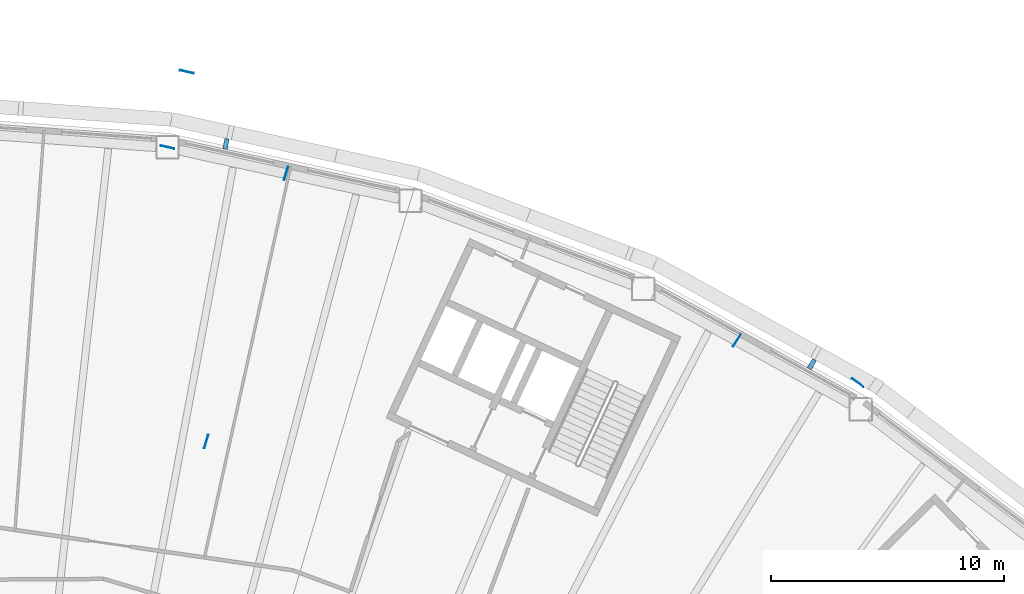
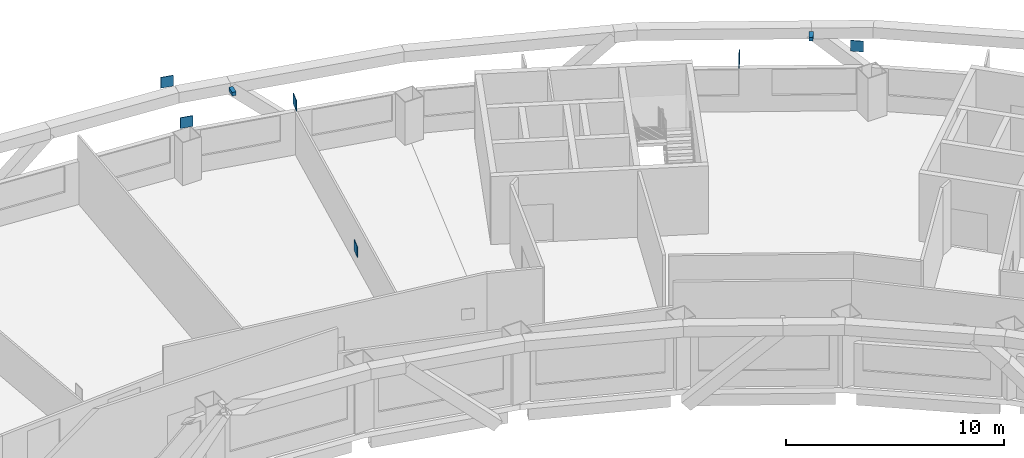
# One storey, part 15 of 19: 8 discrete accessories.
"""IFC4 building model written with IfcOpenShell, lengths in metres."""

from ifc_helpers import new_model, si_unit, direction, frame, origin, origin_2d, place, context, subcontext, project, spatial, rectangle, extrude, material, type_object, element, save


model = new_model("IFC4")

# Units and contexts
model_context = context("Model", 3, precision=1e-05, world=origin(), true_north=direction((0.0, 1.0)))
body_context = subcontext(model_context, "Body", "Model", "MODEL_VIEW")
ifc_project = project(units=[si_unit("LENGTHUNIT", "METRE"), si_unit("AREAUNIT", "SQUARE_METRE"), si_unit("VOLUMEUNIT", "CUBIC_METRE"), si_unit("PLANEANGLEUNIT", "RADIAN"), si_unit("MASSUNIT", "GRAM", prefix="KILO")], contexts=[model_context])

# Site, building, storey
site_placement = place(None, origin())
site = spatial("IfcSite", under=ifc_project, at=site_placement, CompositionType="ELEMENT")
building_placement = place(site_placement, origin())
building = spatial("IfcBuilding", under=site, at=building_placement, Name="Tuul Gate Civic Tower", CompositionType="ELEMENT")
storey_placement = place(building_placement, frame((0.0, 0.0, 163.39990234375)))
storey = spatial("IfcBuildingStorey", under=building, at=storey_placement, Name="Level 37", CompositionType="ELEMENT", Elevation=163.39990234375)

# Discrete accessories
ifc_material_1 = material(Name="Steel S355", Category="steel")
discrete_accessory_type_1 = type_object("IfcDiscreteAccessoryType", Name="Gusset plate", PredefinedType="BRACKET", material=ifc_material_1)
for number, where, z_axis, x_axis, name in (
    (1, (40.455078125, 0.1591796875, 2.79638671875), (0.0, 0.0, 1.0), (0.54674333885, 0.837300257627, 0.0), "Gusset plate"),
    (2, (21.112548828125, 7.3388671875, 2.796630859375), (0.0, 0.0, 1.0), (0.285212112775, 0.958464423297, 0.0), "Gusset plate"),
    (3, (17.688232421875, -4.169189453125, 2.797119140625), (0.0, 0.0, 1.0), (0.285212112775, 0.958464423297, 0.0), "Gusset plate"),
    (4, (16.85302734375, 11.695068359375, 2.796875), (0.0, 0.0, 1.0), (0.976568946286, -0.215204770275, 0.0), "Gusset plate"),
    (5, (16.02294921875, 8.460205078125, 2.796875), (0.0, 0.0, 1.0), (0.97656894253, -0.215204787319, 0.0), "Gusset plate"),
    (6, (45.639404296875, -1.64111328125, 2.796875), (0.0, 0.0, 1.0), (0.795629478909, -0.605783568852, 0.0), "Gusset plate"),
):
    element("IfcDiscreteAccessory", number, at=place(storey_placement, frame(where, z_axis=z_axis, x_axis=x_axis)), inside=storey, type_object=discrete_accessory_type_1, Name=name, PredefinedType="BRACKET", context=body_context, shape_type="SweptSolid", body=[
        extrude(rectangle(XDim=0.60009765625, YDim=0.030029296875, at=origin_2d()), origin(), (0.0, 0.0, 1.0), 0.60009765625),
    ])
ifc_material_2 = material(Name="Stainless steel", Category="steel")
discrete_accessory_type_2 = type_object("IfcDiscreteAccessoryType", Name="Screen bracket", PredefinedType="BRACKET", material=ifc_material_2)
for number, where, z_axis, x_axis, name in (
    (7, (43.6728515625, -0.85302734375, 3.75), (0.0, 0.0, 1.0), (0.514602661104, 0.857428773243, 0.0), "Screen bracket 5"),
    (8, (18.53369140625, 8.598388671875, 3.75), (0.0, 0.0, 1.0), (0.176794433651, 0.984247798184, 0.0), "Screen bracket 8"),
):
    element("IfcDiscreteAccessory", number, at=place(storey_placement, frame(where, z_axis=z_axis, x_axis=x_axis)), inside=storey, type_object=discrete_accessory_type_2, Name=name, PredefinedType="BRACKET", context=body_context, shape_type="SweptSolid", body=[
        extrude(rectangle(XDim=0.4501953125, YDim=0.199951171875, at=origin_2d()), origin(), (0.0, 0.0, 1.0), 0.199951171875),
    ])

save(model, "model.ifc")
